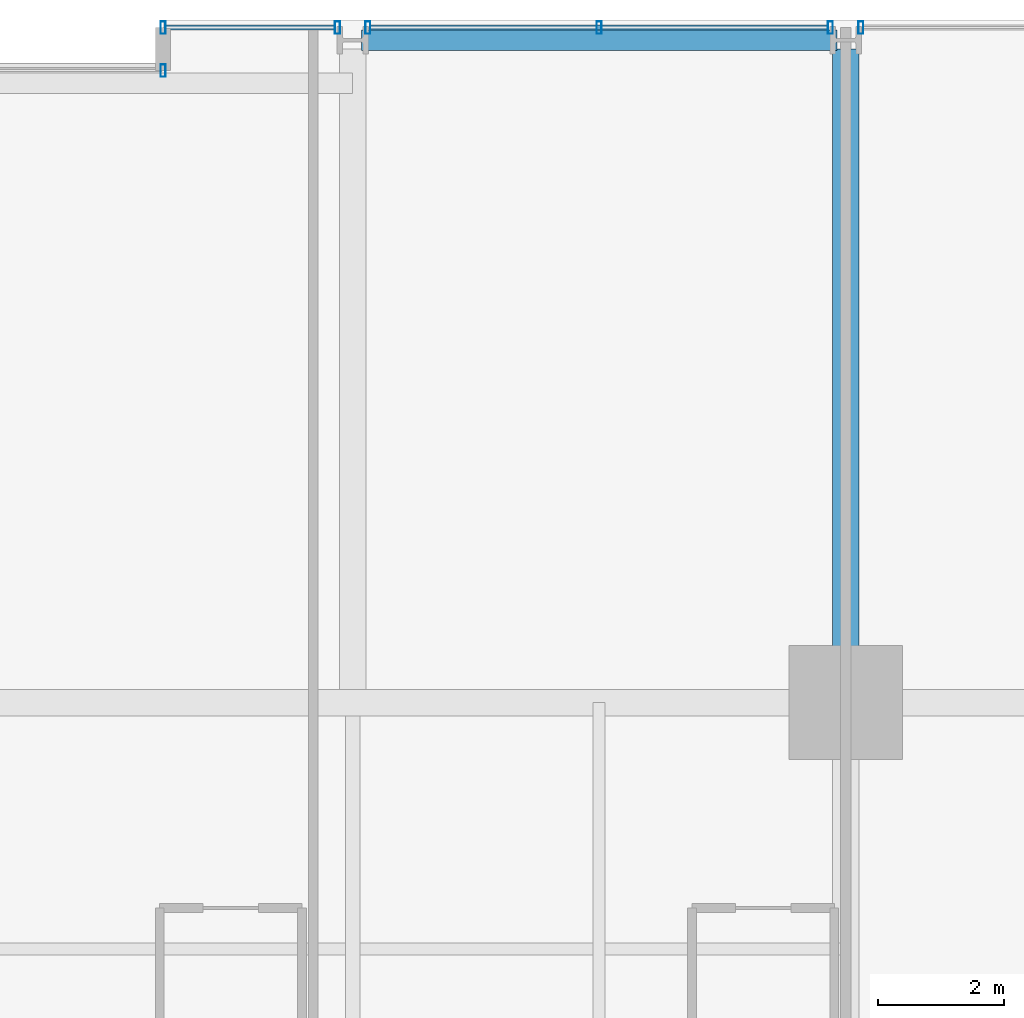
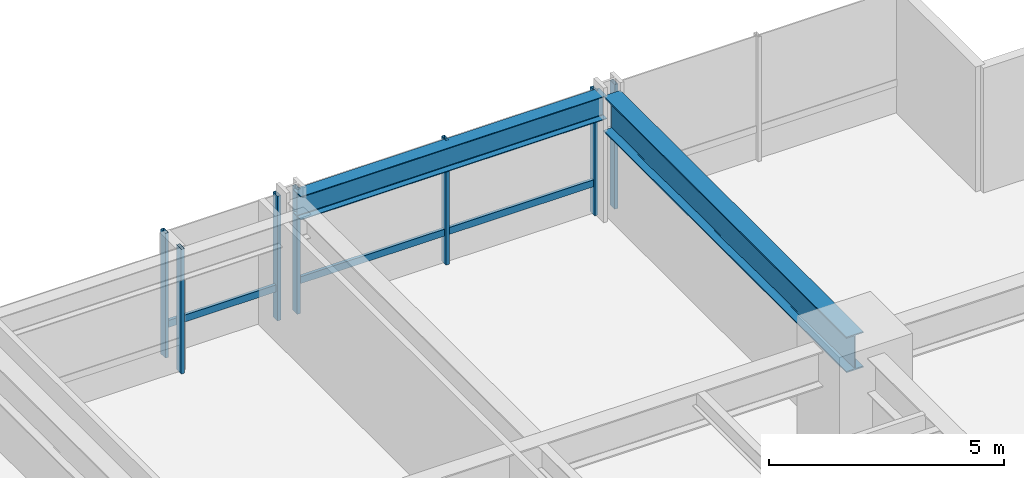
# One storey, part 27 of 37: 9 members, 2 beams, 4 elements without a shape of their own.
"""IFC4 building model written with IfcOpenShell, lengths in metres."""

import ifcopenshell
import ifcopenshell.guid

model = None  # the IFC model being written
_history = None  # IfcOwnerHistory: only IFC2X3 demands one
_inside = {}  # id of a spatial element -> (the spatial element, [elements in it])
_under = {}  # id of a project, library or spatial element -> (it, [spatial elements below it])
_declared = {}  # id of a project -> (the project, [libraries it declares])
_typed = {}  # id of a type object -> (the type object, [elements of that type])
_made_of = {}  # id of a material, layer set ... -> (it, [elements and type objects made of it])


def new_model(schema):
    """Start an empty IFC model of exactly this schema.

    Asked for "IFC4X3", IfcOpenShell would pick the latest addendum, in which some entities
    have other attributes; the version numbers below select the first issue.
    IFC2X3 requires an IfcOwnerHistory on every rooted entity: one is made here for all.
    """
    global model, _history
    if schema == "IFC4X3":
        model = ifcopenshell.file(schema_version=(4, 3, 0, 0))
    else:
        model = ifcopenshell.file(schema=schema)
    _inside.clear()
    _under.clear()
    _declared.clear()
    _typed.clear()
    _made_of.clear()
    _history = None
    if model.schema == "IFC2X3":
        org = make("IfcOrganization", Name="unknown")
        user = make(
            "IfcPersonAndOrganization",
            ThePerson=make("IfcPerson", FamilyName="unknown"),
            TheOrganization=org,
        )
        app = make(
            "IfcApplication",
            ApplicationDeveloper=org,
            Version="unknown",
            ApplicationFullName="unknown",
            ApplicationIdentifier="unknown",
        )
        _history = make(
            "IfcOwnerHistory",
            OwningUser=user,
            OwningApplication=app,
            ChangeAction="ADDED",
            CreationDate=0,
        )
    return model


def make(cls, **values):
    """One entity of the class cls with the attributes given. An attribute that is None is left unset."""
    return model.create_entity(
        cls, **{name: value for name, value in values.items() if value is not None}
    )


def rooted(cls, **values):
    """An entity with a GlobalId (a new one), such as an element, a storey or a relation."""
    return make(cls, GlobalId=ifcopenshell.guid.new(), OwnerHistory=_history, **values)


def si_unit(unit_type, name, prefix=None):
    """IfcSIUnit, for example si_unit("LENGTHUNIT", "METRE", prefix="MILLI")."""
    return make("IfcSIUnit", UnitType=unit_type, Prefix=prefix, Name=name)


def assignment(units):
    """IfcUnitAssignment: the units of a project."""
    return None if units is None else make("IfcUnitAssignment", Units=units)


def point(xyz):
    """IfcCartesianPoint."""
    return None if xyz is None else make("IfcCartesianPoint", Coordinates=xyz)


def direction(xyz):
    """IfcDirection."""
    return None if xyz is None else make("IfcDirection", DirectionRatios=xyz)


def frame(location, z_axis=None, x_axis=None):
    """IfcAxis2Placement3D, a coordinate frame: its origin and axes. An axis left out is left unset."""
    return make(
        "IfcAxis2Placement3D",
        Location=point(location),
        Axis=direction(z_axis),
        RefDirection=direction(x_axis),
    )


def frame_2d(location, x_axis=None):
    """IfcAxis2Placement2D, a coordinate frame in the plane: its origin and x axis."""
    return make(
        "IfcAxis2Placement2D", Location=point(location), RefDirection=direction(x_axis)
    )


def origin():
    """The frame at (0, 0, 0) with its axes left unset."""
    return frame((0.0, 0.0, 0.0))


def origin_2d():
    """The frame at (0, 0) in the plane with its x axis left unset."""
    return frame_2d((0.0, 0.0))


def place(relative_to, where):
    """IfcLocalPlacement: puts the frame where relative to a parent placement (None: the world)."""
    return make(
        "IfcLocalPlacement", PlacementRelTo=relative_to, RelativePlacement=where
    )


def context(
    kind, dimensions, precision=None, world=None, true_north=None, identifier=None
):
    """IfcGeometricRepresentationContext, for example the 3D "Model" context."""
    return make(
        "IfcGeometricRepresentationContext",
        ContextIdentifier=identifier,
        ContextType=kind,
        CoordinateSpaceDimension=dimensions,
        Precision=precision,
        WorldCoordinateSystem=world,
        TrueNorth=true_north,
    )


def subcontext(parent, identifier, kind, view, scale=None):
    """IfcGeometricRepresentationSubContext, for example "Body" below "Model"."""
    return make(
        "IfcGeometricRepresentationSubContext",
        ContextIdentifier=identifier,
        ContextType=kind,
        ParentContext=parent,
        TargetScale=scale,
        TargetView=view,
    )


def project(units=None, contexts=None):
    """IfcProject with its units and contexts."""
    return rooted(
        "IfcProject",
        Name="project",
        RepresentationContexts=contexts,
        UnitsInContext=assignment(units),
    )


def spatial(cls, under=None, at=None, **own):
    """A site, building, storey or space (cls), placed at a placement, below another one or the project."""
    s = rooted(cls, ObjectPlacement=at, **own)
    if under is not None:
        _under.setdefault(under.id(), (under, []))[1].append(s)
    return s


def profile(cls, at=None, kind="AREA", **sizes):
    """A parametric profile (cls). Its sizes go by their IFC names, for example OverallWidth=200.0."""
    return make(cls, ProfileType=kind, Position=at, **sizes)


def hollow_rectangle(**sizes):
    """IfcRectangleHollowProfileDef."""
    return profile("IfcRectangleHollowProfileDef", **sizes)


def i_section(**sizes):
    """IfcIShapeProfileDef."""
    return profile("IfcIShapeProfileDef", **sizes)


def extrude(swept, where, along, depth):
    """IfcExtrudedAreaSolid: the profile swept, set in the frame where, extruded along a direction by depth."""
    return make(
        "IfcExtrudedAreaSolid",
        SweptArea=swept,
        Position=where,
        ExtrudedDirection=direction(along),
        Depth=depth,
    )


def shape(context_of_items, identifier, shape_type, items):
    """IfcShapeRepresentation: the items that make up one representation, for example the "Body"."""
    return make(
        "IfcShapeRepresentation",
        ContextOfItems=context_of_items,
        RepresentationIdentifier=identifier,
        RepresentationType=shape_type,
        Items=items,
    )


def material(Name=None, Category=None):
    """IfcMaterial."""
    return make("IfcMaterial", Name=Name, Category=Category)


def layer(
    of_material, thickness, ventilated=None, Name=None, Category=None, Priority=None
):
    """IfcMaterialLayer: one layer of a wall or slab, of a material (None: an air gap)."""
    return make(
        "IfcMaterialLayer",
        Material=of_material,
        LayerThickness=thickness,
        IsVentilated=ventilated,
        Name=Name,
        Category=Category,
        Priority=Priority,
    )


def layer_set(layers, Name=None):
    """IfcMaterialLayerSet."""
    return make("IfcMaterialLayerSet", MaterialLayers=layers, LayerSetName=Name)


def material_profile(
    of_material, cross_section, Name=None, Category=None, Priority=None
):
    """IfcMaterialProfile: a cross section and its material."""
    return make(
        "IfcMaterialProfile",
        Name=Name,
        Material=of_material,
        Profile=cross_section,
        Priority=Priority,
        Category=Category,
    )


def profile_set(profiles, Name=None, composite=None):
    """IfcMaterialProfileSet."""
    return make(
        "IfcMaterialProfileSet",
        Name=Name,
        MaterialProfiles=profiles,
        CompositeProfile=composite,
    )


def made_of(thing, what):
    """Note that an element or type object is made of a material, layer set ...; save() writes the relation."""
    if what is not None:
        _made_of.setdefault(what.id(), (what, []))[1].append(thing)
    return thing


def type_object(cls, material=None, **own):
    """A type object (cls), such as IfcWallType, which elements share."""
    return made_of(rooted(cls, **own), material)


def element(
    cls,
    number,
    at=None,
    inside=None,
    cuts=None,
    type_object=None,
    material=None,
    context=None,
    identifier="Body",
    shape_type=None,
    held_by="IfcProductDefinitionShape",
    body=None,
    shapes=None,
    **own,
):
    """One element of the class cls, such as IfcWall. Its Tag is "e" and its number.

    at: its placement. inside: the storey or other place that contains it. cuts: it is an
    opening in that element (IfcRelVoidsElement). A single representation is given by context,
    identifier, shape_type and body (its items); several are given by shapes. held_by: the class
    of the entity that holds the representations. save() writes the other relations.
    """
    e = rooted(cls, Tag="e%d" % number, ObjectPlacement=at, **own)
    if body is not None:
        shapes = [shape(context, identifier, shape_type, body)]
    if shapes is not None:
        e.Representation = make(held_by, Representations=shapes)
    if inside is not None:
        _inside.setdefault(inside.id(), (inside, []))[1].append(e)
    if cuts is not None:
        rooted(
            "IfcRelVoidsElement", RelatingBuildingElement=cuts, RelatedOpeningElement=e
        )
    if type_object is not None:
        _typed.setdefault(type_object.id(), (type_object, []))[1].append(e)
    return made_of(e, material)


def aggregate(whole, parts):
    """IfcRelAggregates: a whole, such as a stair, and the parts it consists of."""
    return rooted("IfcRelAggregates", RelatingObject=whole, RelatedObjects=parts)


def save(model, path):
    """Write the relations noted so far, then the file.

    IfcRelAggregates (storeys below a building ...), IfcRelContainedInSpatialStructure (elements
    in a storey), IfcRelDefinesByType, IfcRelAssociatesMaterial and IfcRelDeclares: one each for
    every whole, place, type object, material and project.
    """
    for whole, parts in _under.values():
        aggregate(whole, parts)
    for where, things in _inside.values():
        rooted(
            "IfcRelContainedInSpatialStructure",
            RelatedElements=things,
            RelatingStructure=where,
        )
    for kind, things in _typed.values():
        rooted("IfcRelDefinesByType", RelatedObjects=things, RelatingType=kind)
    for what, things in _made_of.values():
        rooted("IfcRelAssociatesMaterial", RelatedObjects=things, RelatingMaterial=what)
    for by, libraries in _declared.values():
        rooted("IfcRelDeclares", RelatingContext=by, RelatedDefinitions=libraries)
    model.write(path)


model = new_model("IFC4")

# Units and contexts
model_context = context("Model", 3, precision=1e-05, world=origin(), true_north=direction((0.0, 1.0)))
body_context = subcontext(model_context, "Body", "Model", "MODEL_VIEW")
ifc_project = project(units=[si_unit("LENGTHUNIT", "METRE"), si_unit("AREAUNIT", "SQUARE_METRE"), si_unit("VOLUMEUNIT", "CUBIC_METRE"), si_unit("PLANEANGLEUNIT", "RADIAN"), si_unit("MASSUNIT", "GRAM", prefix="KILO")], contexts=[model_context])

# Site, building, storey
site_placement = place(None, origin())
site = spatial("IfcSite", under=ifc_project, at=site_placement, CompositionType="ELEMENT")
building_placement = place(site_placement, origin())
building = spatial("IfcBuilding", under=site, at=building_placement, Name="Drelvath Grand Hotel", CompositionType="ELEMENT")
storey_placement = place(building_placement, frame((0.0, 0.0, 43.699951171875)))
storey = spatial("IfcBuildingStorey", under=building, at=storey_placement, Name="L09", CompositionType="ELEMENT", Elevation=43.699951171875)

# Curtain wall, member
ifc_material_1 = material(Name="Warm Bronze Anodised Aluminium Frame", Category="aluminium")
ifc_layer = layer(ifc_material_1, 0.199951171875)
ifc_layer_set = layer_set([ifc_layer], Name="Warm Bronze Anodised Aluminium Frame")
curtain_wall_type = type_object("IfcCurtainWallType", Name="Stick Curtain Wall CW-02 Warm Bronze Low-Rise", PredefinedType="NOTDEFINED", material=ifc_layer_set)
curtain_wall_1_placement = place(storey_placement, origin())
curtain_wall_1 = element("IfcCurtainWall", 1, at=curtain_wall_1_placement, inside=storey, type_object=curtain_wall_type, Name="L09 CW-02 Curtain Wall CW02-L09-NE1", PredefinedType="NOTDEFINED")
ifc_material_profile_1 = material_profile(ifc_material_1, hollow_rectangle(XDim=0.074951171875, YDim=0.179931640625, WallThickness=0.0048828125, at=origin_2d()), Name="HSS180X75X5")
ifc_profile_set_1 = profile_set([ifc_material_profile_1], Name="Warm Bronze Anodised Aluminium Frame")
member_type_1 = type_object("IfcMemberType", Name="Curtain Wall Horizontal Transom CW-02 HSS180X75X5", PredefinedType="USERDEFINED", material=ifc_profile_set_1)
member_1_placement = place(storey_placement, frame((5.43994140625, 53.8798828125, 0.81005859375), z_axis=(1.0, 0.0, 0.0), x_axis=(0.0, 1.0, 0.0)))
member_1 = element("IfcMember", 2, at=member_1_placement, type_object=member_type_1, Name="CW02-L09-NE1 Sill Transom", ObjectType="TRANSOM", PredefinedType="USERDEFINED", context=body_context, shape_type="SweptSolid", body=[
    extrude(hollow_rectangle(XDim=0.074951171875, YDim=0.179931640625, WallThickness=0.0048828125, at=origin_2d()), origin(), (0.0, 0.0, 1.0), 2.67919921875),
])

curtain_wall_2_placement = place(storey_placement, origin())
curtain_wall_2 = element("IfcCurtainWall", 3, at=curtain_wall_2_placement, inside=storey, type_object=curtain_wall_type, Name="L09 CW-02 Curtain Wall CW02-L09-NE2", PredefinedType="NOTDEFINED")
member_2_placement = place(storey_placement, frame((8.680908203125, 53.8798828125, 0.81005859375), z_axis=(1.0, 0.0, 0.0), x_axis=(0.0, 1.0, 0.0)))
member_2 = element("IfcMember", 4, at=member_2_placement, type_object=member_type_1, Name="CW02-L09-NE2 Sill Transom", ObjectType="TRANSOM", PredefinedType="USERDEFINED", context=body_context, shape_type="SweptSolid", body=[
    extrude(hollow_rectangle(XDim=0.074951171875, YDim=0.179931640625, WallThickness=0.0048828125, at=origin_2d()), origin(), (0.0, 0.0, 1.0), 7.23828125),
])

curtain_wall_3_placement = place(storey_placement, origin())
curtain_wall_3 = element("IfcCurtainWall", 5, at=curtain_wall_3_placement, inside=storey, type_object=curtain_wall_type, Name="L09 CW-02 Curtain Wall CW02-L09-NM2", PredefinedType="NOTDEFINED")
ifc_material_profile_2 = material_profile(ifc_material_1, hollow_rectangle(XDim=0.080078125, YDim=0.199951171875, WallThickness=0.0048828125, at=origin_2d()), Name="HSS200X80X5")
ifc_profile_set_2 = profile_set([ifc_material_profile_2], Name="Warm Bronze Anodised Aluminium Frame")
member_type_2 = type_object("IfcMemberType", Name="Curtain Wall Vertical Mullion CW-02 HSS200X80X5", PredefinedType="MULLION", material=ifc_profile_set_2)
member_3_placement = place(storey_placement, frame((5.39990234375, 53.199951171875, 0.0), z_axis=(0.0, 0.0, 1.0), x_axis=(1.0, 0.0, 0.0)))
member_3 = element("IfcMember", 6, at=member_3_placement, type_object=member_type_2, Name="CW02-L09-NM2 Mullion 2", PredefinedType="MULLION", context=body_context, shape_type="SweptSolid", body=[
    extrude(hollow_rectangle(XDim=0.080078125, YDim=0.199951171875, WallThickness=0.0048828125, at=origin_2d()), origin(), (0.0, 0.0, 1.0), 3.239990234375),
])
aggregate(curtain_wall_3, [member_3])

# Member
member_4_placement = place(storey_placement, frame((5.39990234375, 53.8798828125, 0.0), z_axis=(0.0, 0.0, 1.0), x_axis=(1.0, 0.0, 0.0)))
member_4 = element("IfcMember", 7, at=member_4_placement, type_object=member_type_2, Name="CW02-L09-NE1 Mullion 1", PredefinedType="MULLION", context=body_context, shape_type="SweptSolid", body=[
    extrude(hollow_rectangle(XDim=0.080078125, YDim=0.199951171875, WallThickness=0.0048828125, at=origin_2d()), origin(), (0.0, 0.0, 1.0), 3.239990234375),
])

member_5_placement = place(storey_placement, frame((8.1591796875, 53.8798828125, 0.0), z_axis=(0.0, 0.0, 1.0), x_axis=(1.0, 0.0, 0.0)))
member_5 = element("IfcMember", 8, at=member_5_placement, type_object=member_type_2, Name="CW02-L09-NE1 Mullion 2", PredefinedType="MULLION", context=body_context, shape_type="SweptSolid", body=[
    extrude(hollow_rectangle(XDim=0.080078125, YDim=0.199951171875, WallThickness=0.0048828125, at=origin_2d()), origin(), (0.0, 0.0, 1.0), 3.239990234375),
])

aggregate(curtain_wall_1, [member_4, member_5, member_1])

member_6_placement = place(storey_placement, frame((8.640869140625, 53.8798828125, 0.0), z_axis=(0.0, 0.0, 1.0), x_axis=(1.0, 0.0, 0.0)))
member_6 = element("IfcMember", 9, at=member_6_placement, type_object=member_type_2, Name="CW02-L09-NE2 Mullion 1", PredefinedType="MULLION", context=body_context, shape_type="SweptSolid", body=[
    extrude(hollow_rectangle(XDim=0.080078125, YDim=0.199951171875, WallThickness=0.0048828125, at=origin_2d()), origin(), (0.0, 0.0, 1.0), 3.239990234375),
])

member_7_placement = place(storey_placement, frame((12.300048828125, 53.8798828125, 0.0), z_axis=(0.0, 0.0, 1.0), x_axis=(1.0, 0.0, 0.0)))
member_7 = element("IfcMember", 10, at=member_7_placement, type_object=member_type_2, Name="CW02-L09-NE2 Mullion 2", PredefinedType="MULLION", context=body_context, shape_type="SweptSolid", body=[
    extrude(hollow_rectangle(XDim=0.080078125, YDim=0.199951171875, WallThickness=0.0048828125, at=origin_2d()), origin(), (0.0, 0.0, 1.0), 3.239990234375),
])

member_8_placement = place(storey_placement, frame((15.958984375, 53.8798828125, 0.0), z_axis=(0.0, 0.0, 1.0), x_axis=(1.0, 0.0, 0.0)))
member_8 = element("IfcMember", 11, at=member_8_placement, type_object=member_type_2, Name="CW02-L09-NE2 Mullion 3", PredefinedType="MULLION", context=body_context, shape_type="SweptSolid", body=[
    extrude(hollow_rectangle(XDim=0.080078125, YDim=0.199951171875, WallThickness=0.0048828125, at=origin_2d()), origin(), (0.0, 0.0, 1.0), 3.239990234375),
])

aggregate(curtain_wall_2, [member_6, member_7, member_8, member_2])

# Curtain wall, member
curtain_wall_4_placement = place(storey_placement, origin())
curtain_wall_4 = element("IfcCurtainWall", 12, at=curtain_wall_4_placement, inside=storey, type_object=curtain_wall_type, Name="L09 CW-02 Curtain Wall CW02-L09-NE3", PredefinedType="NOTDEFINED")
member_9_placement = place(storey_placement, frame((16.44091796875, 53.8798828125, 0.0), z_axis=(0.0, 0.0, 1.0), x_axis=(1.0, 0.0, 0.0)))
member_9 = element("IfcMember", 13, at=member_9_placement, type_object=member_type_2, Name="CW02-L09-NE3 Mullion 1", PredefinedType="MULLION", context=body_context, shape_type="SweptSolid", body=[
    extrude(hollow_rectangle(XDim=0.080078125, YDim=0.199951171875, WallThickness=0.0048828125, at=origin_2d()), origin(), (0.0, 0.0, 1.0), 3.239990234375),
])
aggregate(curtain_wall_4, [member_9])

# Beams
ifc_material_2 = material(Name="Steel ASTM A992 Gr 50", Category="steel")
ifc_material_profile_3 = material_profile(ifc_material_2, i_section(OverallWidth=0.323974609375, OverallDepth=0.611083984375, WebThickness=0.0126953125, FlangeThickness=0.01904296875, FilletRadius=0.02197265625, at=origin_2d()), Name="W24X104")
ifc_profile_set_3 = profile_set([ifc_material_profile_3], Name="Steel ASTM A992 Gr 50")
beam_type_1 = type_object("IfcBeamType", Name="Perimeter Spandrel Beam W24X104", PredefinedType="SPANDREL", material=ifc_profile_set_3)
beam_1_placement = place(storey_placement, frame((8.5400390625, 53.679931640625, 2.9345703125), z_axis=(1.0, 0.0, 0.0), x_axis=(0.0, 1.0, 0.0)))
element("IfcBeam", 14, at=beam_1_placement, inside=storey, type_object=beam_type_1, Name="L09 Spandrel North E", PredefinedType="SPANDREL", context=body_context, shape_type="SweptSolid", body=[
    extrude(i_section(OverallWidth=0.323974609375, OverallDepth=0.611083984375, WebThickness=0.0126953125, FlangeThickness=0.01904296875, FilletRadius=0.02197265625, at=origin_2d()), origin(), (0.0, 0.0, 1.0), 7.52001953125),
])
ifc_material_profile_4 = material_profile(ifc_material_2, i_section(OverallWidth=0.418212890625, OverallDepth=0.926513671875, WebThickness=0.019287109375, FlangeThickness=0.031982421875, FilletRadius=0.028076171875, at=origin_2d()), Name="W36X231")
ifc_profile_set_4 = profile_set([ifc_material_profile_4], Name="Steel ASTM A992 Gr 50")
beam_type_2 = type_object("IfcBeamType", Name="Primary Floor Girder W36X231", PredefinedType="BEAM", material=ifc_profile_set_4)
beam_2_placement = place(storey_placement, frame((16.199951171875, 43.199951171875, 2.77685546875), z_axis=(0.0, 1.0, 0.0), x_axis=(-1.0, 0.0, 0.0)))
element("IfcBeam", 15, at=beam_2_placement, inside=storey, type_object=beam_type_2, Name="L09 North Grid Girder 7", PredefinedType="BEAM", context=body_context, shape_type="SweptSolid", body=[
    extrude(i_section(OverallWidth=0.418212890625, OverallDepth=0.926513671875, WebThickness=0.019287109375, FlangeThickness=0.031982421875, FilletRadius=0.028076171875, at=origin_2d()), origin(), (0.0, 0.0, 1.0), 10.340087890625),
])

save(model, "model.ifc")
